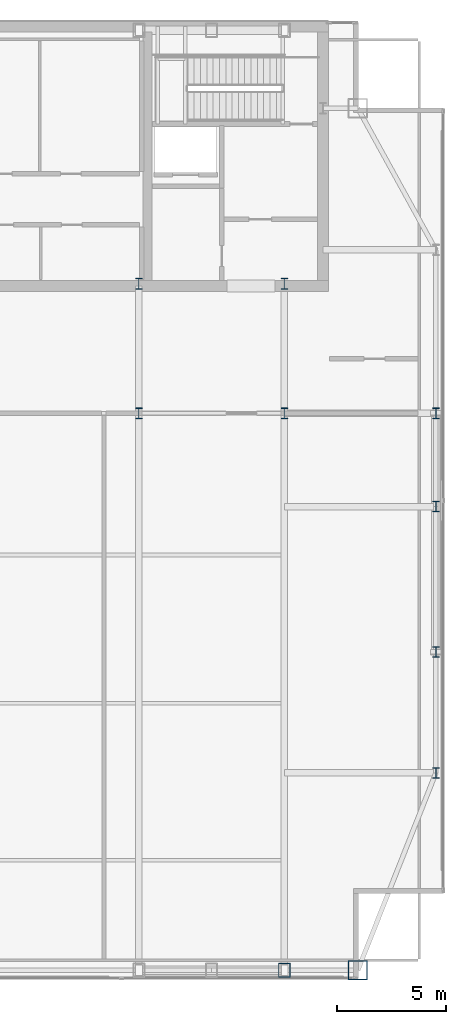
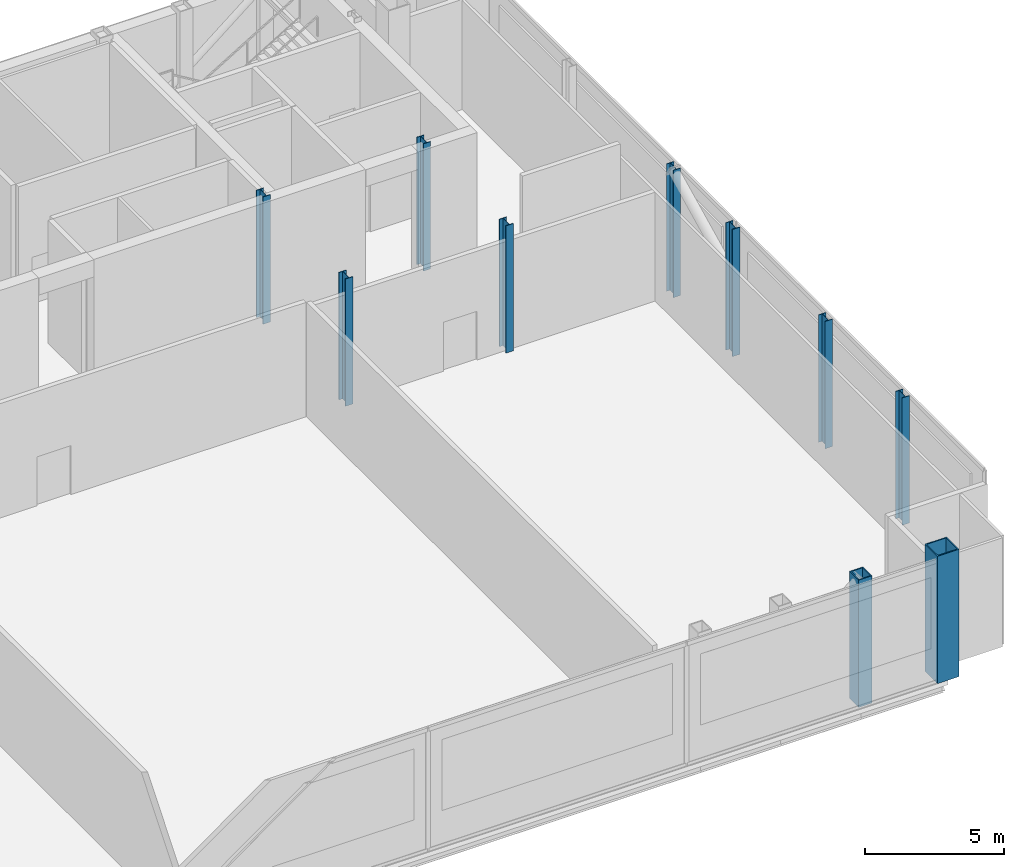
# One storey, part 2 of 22: 10 columns.
"""IFC4 building model written with IfcOpenShell, lengths in metres."""

from ifc_helpers import new_model, si_unit, direction, frame, origin, origin_2d, place, context, subcontext, project, spatial, hollow_rectangle, i_section, extrude, material, material_profile, profile_set, type_object, element, save


model = new_model("IFC4")

# Units and contexts
model_context = context("Model", 3, precision=1e-05, world=origin(), true_north=direction((0.0, 1.0)))
body_context = subcontext(model_context, "Body", "Model", "MODEL_VIEW")
ifc_project = project(units=[si_unit("LENGTHUNIT", "METRE"), si_unit("AREAUNIT", "SQUARE_METRE"), si_unit("VOLUMEUNIT", "CUBIC_METRE"), si_unit("PLANEANGLEUNIT", "RADIAN"), si_unit("MASSUNIT", "GRAM", prefix="KILO")], contexts=[model_context])

# Site, building, storey
site_placement = place(None, origin())
site = spatial("IfcSite", under=ifc_project, at=site_placement, CompositionType="ELEMENT")
building_placement = place(site_placement, origin())
building = spatial("IfcBuilding", under=site, at=building_placement, Name="Khoronbel Lancet Exchange", CompositionType="ELEMENT")
storey_placement = place(building_placement, frame((0.0, 0.0, 361.800048828125)))
storey = spatial("IfcBuildingStorey", under=building, at=storey_placement, Name="L93", CompositionType="ELEMENT", Elevation=361.800048828125)

# Columns
ifc_material_1 = material(Name="Steel S355", Category="steel")
ifc_material_profile_1 = material_profile(ifc_material_1, i_section(OverallWidth=0.300048828125, OverallDepth=0.5, WebThickness=0.014404296875, FlangeThickness=0.028076171875, at=origin_2d()), Name="HEB 500")
ifc_profile_set_1 = profile_set([ifc_material_profile_1], Name="Steel S355")
column_type_1 = type_object("IfcColumnType", Name="COL-CRC1", PredefinedType="COLUMN", material=ifc_profile_set_1)
for number, where, z_axis, x_axis, name in (
    (1, (61.6298828125, 19.199951171875, 0.0), (0.0, 0.0, 1.0), (1.0, 0.0, 0.0), "CROWN FRAME column EC-1 L93"),
    (2, (61.6298828125, 24.75, 0.0), (0.0, 0.0, 1.0), (1.0, 0.0, 0.0), "CROWN FRAME column EC-2 L93"),
    (3, (61.6298828125, 31.425048828125, 0.0), (0.0, 0.0, 1.0), (1.0, 0.0, 0.0), "CROWN FRAME column EC-M L93"),
    (4, (61.6298828125, 35.699951171875, 0.0), (0.0, 0.0, 1.0), (1.0, 0.0, 0.0), "CROWN FRAME column EC-3 L93"),
    (5, (48.0, 35.699951171875, 0.0), (0.0, 0.0, 1.0), (1.0, 0.0, 0.0), "CROWN FRAME spine column TC3 L93"),
    (6, (48.0, 41.64990234375, 0.0), (0.0, 0.0, 1.0), (1.0, 0.0, 0.0), "Core-embedded steel column CTC3 L93"),
    (7, (54.675048828125, 35.699951171875, 0.0), (0.0, 0.0, 1.0), (1.0, 0.0, 0.0), "CROWN FRAME spine column TC4 L93"),
    (8, (54.675048828125, 41.64990234375, 0.0), (0.0, 0.0, 1.0), (1.0, 0.0, 0.0), "Core-embedded steel column CTC4 L93"),
):
    element("IfcColumn", number, at=place(storey_placement, frame(where, z_axis=z_axis, x_axis=x_axis)), inside=storey, type_object=column_type_1, Name=name, PredefinedType="COLUMN", context=body_context, shape_type="SweptSolid", body=[
        extrude(i_section(OverallWidth=0.300048828125, OverallDepth=0.5, WebThickness=0.014404296875, FlangeThickness=0.028076171875, at=origin_2d()), origin(), (0.0, 0.0, 1.0), 5.599853515625),
    ])
ifc_material_2 = material(Name="Steel S460", Category="steel")
ifc_material_profile_2 = material_profile(ifc_material_2, hollow_rectangle(XDim=0.550048828125, YDim=0.64990234375, WallThickness=0.0400390625, at=origin_2d()), Name="BOX 650x550x40")
ifc_profile_set_2 = profile_set([ifc_material_profile_2], Name="Steel S460")
column_type_2 = type_object("IfcColumnType", Name="COL-EC4", PredefinedType="COLUMN", material=ifc_profile_set_2)
column_1_placement = place(storey_placement, frame((54.675048828125, 10.14990234375, 0.0), z_axis=(0.0, 0.0, 1.0), x_axis=(1.0, 0.0, 0.0)))
element("IfcColumn", 9, at=column_1_placement, inside=storey, type_object=column_type_2, Name="CROWN FRAME column SC-E2 L93", PredefinedType="COLUMN", context=body_context, shape_type="SweptSolid", body=[
    extrude(hollow_rectangle(XDim=0.550048828125, YDim=0.64990234375, WallThickness=0.0400390625, at=origin_2d()), origin(), (0.0, 0.0, 1.0), 5.599853515625),
])
ifc_material_profile_3 = material_profile(ifc_material_2, hollow_rectangle(XDim=0.89990234375, YDim=0.89990234375, WallThickness=0.050048828125, at=origin_2d()), Name="BOX 900x900x50")
ifc_profile_set_3 = profile_set([ifc_material_profile_3], Name="Steel S460")
column_type_3 = type_object("IfcColumnType", Name="COL-MC7", PredefinedType="COLUMN", material=ifc_profile_set_3)
column_2_placement = place(storey_placement, frame((58.050048828125, 10.14990234375, 0.0), z_axis=(0.0, 0.0, 1.0), x_axis=(1.0, 0.0, 0.0)))
element("IfcColumn", 10, at=column_2_placement, inside=storey, type_object=column_type_3, Name="CROWN FRAME column MC-SE L93", PredefinedType="COLUMN", context=body_context, shape_type="SweptSolid", body=[
    extrude(hollow_rectangle(XDim=0.89990234375, YDim=0.89990234375, WallThickness=0.050048828125, at=origin_2d()), origin(), (0.0, 0.0, 1.0), 5.599853515625),
])

save(model, "model.ifc")
